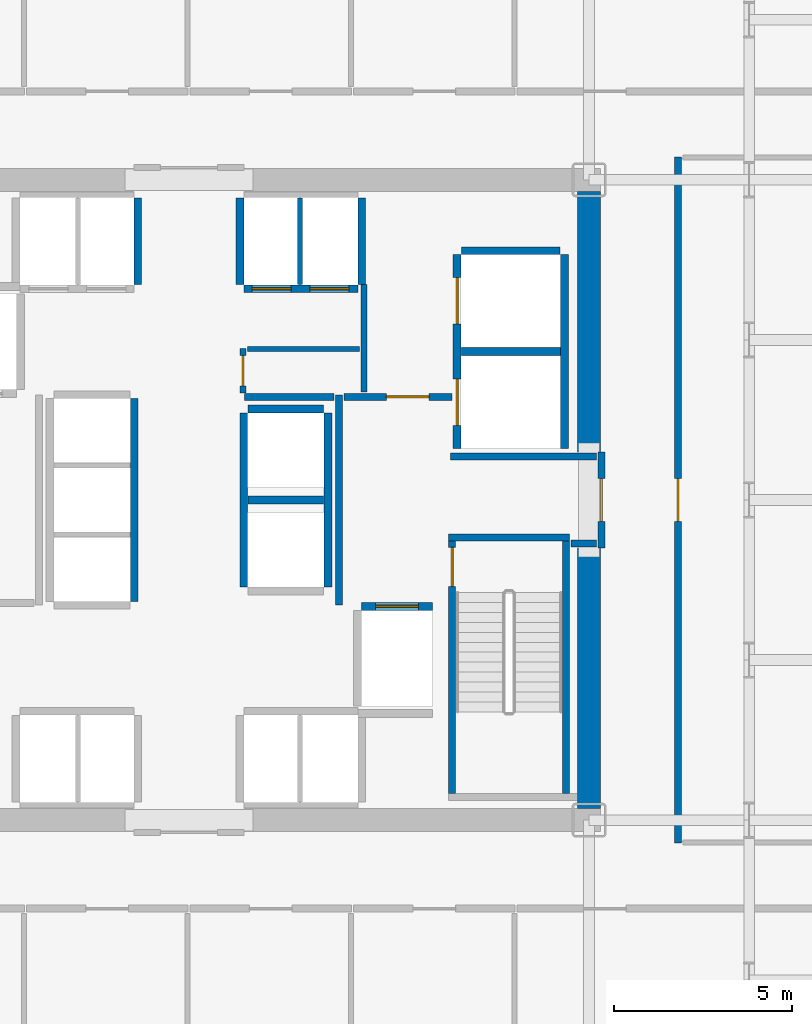
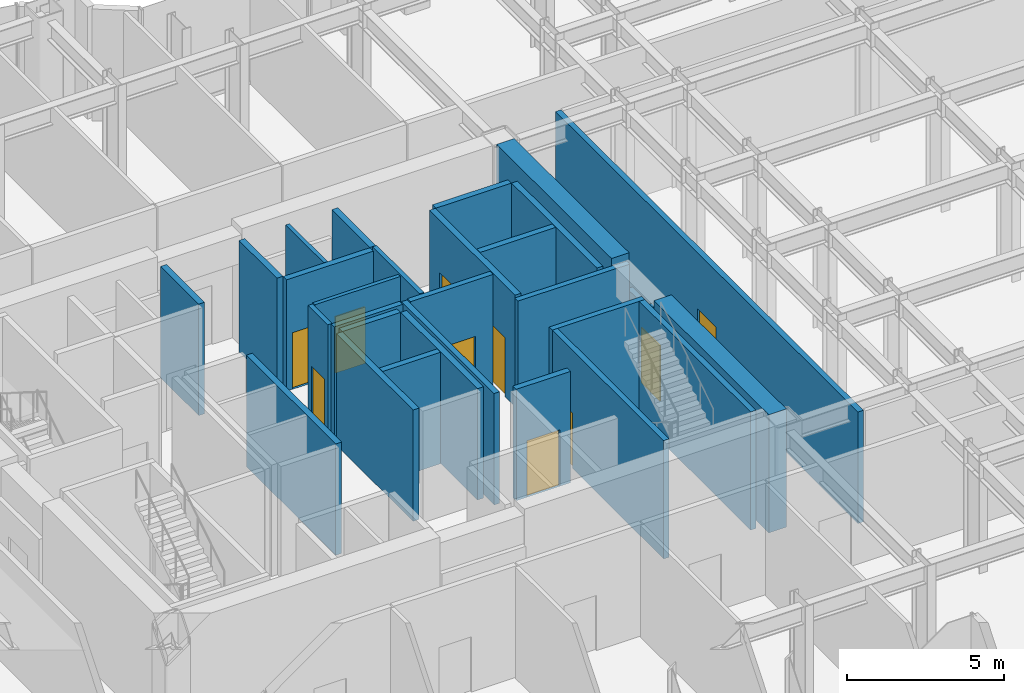
# One storey, part 24 of 30: 30 walls, 10 doors, 10 openings.
"""IFC4 building model written with IfcOpenShell, lengths in metres."""

from ifc_helpers import new_model, si_unit, direction, frame, frame_2d, origin, place, context, subcontext, project, spatial, rectangle, extrude, source, transform, mapped, material, layer, layer_set, type_object, element, fill, save


model = new_model("IFC4")

# Units and contexts
model_context = context("Model", 3, precision=1e-05, world=origin(), true_north=direction((0.0, 1.0)))
body_context = subcontext(model_context, "Body", "Model", "MODEL_VIEW")
ifc_project = project(units=[si_unit("LENGTHUNIT", "METRE"), si_unit("AREAUNIT", "SQUARE_METRE"), si_unit("VOLUMEUNIT", "CUBIC_METRE"), si_unit("PLANEANGLEUNIT", "RADIAN"), si_unit("MASSUNIT", "GRAM", prefix="KILO")], contexts=[model_context])

# Site, building, storey
site_placement = place(None, origin())
site = spatial("IfcSite", under=ifc_project, at=site_placement, CompositionType="ELEMENT")
building_placement = place(site_placement, origin())
building = spatial("IfcBuilding", under=site, at=building_placement, Name="Nefas-Gora Pilgrimage Tower", CompositionType="ELEMENT")
storey_placement = place(building_placement, frame((0.0, 0.0, 86.199951171875)))
storey = spatial("IfcBuildingStorey", under=building, at=storey_placement, Name="L20", CompositionType="ELEMENT", Elevation=86.199951171875)

# Walls
ifc_material_1 = material(Name="Concrete C60/75", Category="concrete")
ifc_layer_1 = layer(ifc_material_1, 0.64990234375)
ifc_layer_set_1 = layer_set([ifc_layer_1], Name="Concrete C60/75")
wall_type_1 = type_object("IfcWallType", Name="SW-CORE-650", PredefinedType="SHEAR", material=ifc_layer_set_1)
shared_shape_1 = source(origin(), body_context, "Body", "SweptSolid", [
    extrude(rectangle(XDim=7.324951171875, YDim=0.64990234375, at=frame_2d((3.66259765625, 0.0))), origin(), (0.0, 0.0, 1.0), 4.60009765625),
])
for number, where, z_axis, x_axis, name in (
    (1, (11.25, -8.675048828125, 0.0), (0.0, 0.0, 1.0), (0.0, 1.0, 0.0), "L20 Core Shear Wall E-South"),
    (2, (11.25, 1.35009765625, 0.0), (0.0, 0.0, 1.0), (0.0, 1.0, 0.0), "L20 Core Shear Wall E-North"),
):
    element("IfcWall", number, at=place(storey_placement, frame(where, z_axis=z_axis, x_axis=x_axis)), inside=storey, type_object=wall_type_1, Name=name, PredefinedType="SHEAR", context=body_context, shape_type="MappedRepresentation", body=[
        mapped(shared_shape_1, transform((0.0, 0.0, 0.0), x_axis=(1.0, 0.0, 0.0), y_axis=(0.0, 1.0, 0.0), z_axis=(0.0, 0.0, 1.0), scale=1.0)),
    ])
ifc_material_2 = material(Name="Concrete C45/55", Category="concrete")
ifc_layer_2 = layer(ifc_material_2, 0.199951171875)
ifc_layer_set_2 = layer_set([ifc_layer_2], Name="Concrete C45/55")
wall_type_2 = type_object("IfcWallType", Name="IW-STAIR-200", PredefinedType="SOLIDWALL", material=ifc_layer_set_2)
shared_shape_2 = source(origin(), body_context, "Body", "SweptSolid", [
    extrude(rectangle(XDim=3.39990234375, YDim=0.199951171875, at=frame_2d((1.699951171875, 0.0))), origin(), (0.0, 0.0, 1.0), 4.60009765625),
])
wall_1_placement = place(storey_placement, frame((7.300048828125, -1.050048828125, 0.0), z_axis=(0.0, 0.0, 1.0), x_axis=(1.0, 0.0, 0.0)))
element("IfcWall", 3, at=wall_1_placement, inside=storey, type_object=wall_type_2, Name="L20 Stairwell Shear Wall ST-02-near", PredefinedType="SOLIDWALL", context=body_context, shape_type="MappedRepresentation", body=[
    mapped(shared_shape_2, transform((0.0, 0.0, 0.0), x_axis=(1.0, 0.0, 0.0), y_axis=(0.0, 1.0, 0.0), z_axis=(0.0, 0.0, 1.0), scale=1.0)),
])

# Wall, opening, door
shared_shape_3 = source(origin(), body_context, "Body", "SweptSolid", [
    extrude(rectangle(XDim=7.10009765625, YDim=0.199951171875, at=frame_2d((3.550048828125, 0.0))), origin(), (0.0, 0.0, 1.0), 4.60009765625),
])
wall_2_placement = place(storey_placement, frame((7.39990234375, -1.14990234375, 0.0), z_axis=(0.0, 0.0, 1.0), x_axis=(0.0, -1.0, 0.0)))
wall_2 = element("IfcWall", 4, at=wall_2_placement, inside=storey, type_object=wall_type_2, Name="L20 Stairwell Shear Wall ST-02-left", PredefinedType="SOLIDWALL", context=body_context, shape_type="MappedRepresentation", body=[
    mapped(shared_shape_3, transform((0.0, 0.0, 0.0), x_axis=(1.0, 0.0, 0.0), y_axis=(0.0, 1.0, 0.0), z_axis=(0.0, 0.0, 1.0), scale=1.0)),
])
opening_1_placement = place(wall_2_placement, frame((0.179931640625, 0.0, 0.0)))
opening_1 = element("IfcOpeningElement", 5, at=opening_1_placement, cuts=wall_2, Name="Opening ID-ST1", PredefinedType="OPENING", context=body_context, shape_type="SweptSolid", body=[
    extrude(rectangle(XDim=1.10009765625, YDim=2.14990234375, at=frame_2d((0.550048828125, 1.074951171875))), frame((0.0, 0.10986328125, 0.0), z_axis=(0.0, -1.0, 0.0), x_axis=(1.0, 0.0, 0.0)), (0.0, 0.0, 1.0), 0.219970703125),
])
ifc_material_3 = material(Name="Painted galvanised steel fire stair door", Category="steel")
door_type_1 = type_object("IfcDoorType", Name="DR-INT-STAIR-1100", OperationType="NOTDEFINED", PredefinedType="DOOR", material=ifc_material_3)
shared_shape_4 = source(origin(), body_context, "Body", "SweptSolid", [
    extrude(rectangle(XDim=1.10009765625, YDim=2.14990234375, at=frame_2d((0.550048828125, 1.074951171875))), frame((0.0, 0.02490234375, 0.0), z_axis=(0.0, -1.0, 0.0), x_axis=(1.0, 0.0, 0.0)), (0.0, 0.0, 1.0), 0.050048828125),
])
door_1_placement = place(opening_1_placement, origin())
door_1 = element("IfcDoor", 6, at=door_1_placement, inside=storey, type_object=door_type_1, Name="L20 Protected Exit Stair Door ST-02", OperationType="SINGLE_SWING_LEFT", OverallHeight=2.14990234375, OverallWidth=1.10009765625, PredefinedType="DOOR", context=body_context, shape_type="MappedRepresentation", body=[
    mapped(shared_shape_4, transform((0.0, 0.0, 0.0), x_axis=(1.0, 0.0, 0.0), y_axis=(0.0, 1.0, 0.0), z_axis=(0.0, 0.0, 1.0), scale=1.0)),
])
fill(opening_1, door_1)

# Wall
wall_3_placement = place(storey_placement, frame((10.60009765625, -1.14990234375, 0.0), z_axis=(0.0, 0.0, 1.0), x_axis=(0.0, -1.0, 0.0)))
element("IfcWall", 7, at=wall_3_placement, inside=storey, type_object=wall_type_2, Name="L20 Stairwell Shear Wall ST-02-right", PredefinedType="SOLIDWALL", context=body_context, shape_type="MappedRepresentation", body=[
    mapped(shared_shape_3, transform((0.0, 0.0, 0.0), x_axis=(1.0, 0.0, 0.0), y_axis=(0.0, 1.0, 0.0), z_axis=(0.0, 0.0, 1.0), scale=1.0)),
])

# Wall, opening, door
ifc_material_4 = material(Name="Concrete C40/50", Category="concrete")
ifc_layer_3 = layer(ifc_material_4, 0.219970703125)
ifc_layer_set_3 = layer_set([ifc_layer_3], Name="Concrete C40/50")
wall_type_3 = type_object("IfcWallType", Name="IW-SHAFT-220", PredefinedType="SOLIDWALL", material=ifc_layer_set_3)
shared_shape_5 = source(origin(), body_context, "Body", "SweptSolid", [
    extrude(rectangle(XDim=2.0, YDim=0.219970703125, at=frame_2d((1.0, 0.0))), origin(), (0.0, 0.0, 1.0), 4.3349609375),
])
wall_4_placement = place(storey_placement, frame((6.85009765625, -2.989990234375, 0.0), z_axis=(0.0, 0.0, 1.0), x_axis=(-1.0, 0.0, 0.0)))
wall_4 = element("IfcWall", 8, at=wall_4_placement, inside=storey, type_object=wall_type_3, Name="L20 Hoistway Wall FFL-02-N", PredefinedType="SOLIDWALL", context=body_context, shape_type="MappedRepresentation", body=[
    mapped(shared_shape_5, transform((0.0, 0.0, 0.0), x_axis=(1.0, 0.0, 0.0), y_axis=(0.0, 1.0, 0.0), z_axis=(0.0, 0.0, 1.0), scale=1.0)),
])
opening_2_placement = place(wall_4_placement, frame((0.39990234375, 0.0, 0.0)))
opening_2 = element("IfcOpeningElement", 9, at=opening_2_placement, cuts=wall_4, Name="Opening LD-FF", PredefinedType="OPENING", context=body_context, shape_type="SweptSolid", body=[
    extrude(rectangle(XDim=1.199951171875, YDim=2.199951171875, at=frame_2d((0.60009765625, 1.10009765625))), frame((0.0, 0.119873046875, 0.0), z_axis=(0.0, -1.0, 0.0), x_axis=(1.0, 0.0, 0.0)), (0.0, 0.0, 1.0), 0.239990234375),
])
ifc_material_5 = material(Name="Fire-service sliding lift landing door")
door_type_2 = type_object("IfcDoorType", Name="DR-LIFT-FSAE-1200", OperationType="SLIDING_TO_LEFT", PredefinedType="DOOR", material=ifc_material_5)
shared_shape_6 = source(origin(), body_context, "Body", "SweptSolid", [
    extrude(rectangle(XDim=1.199951171875, YDim=2.199951171875, at=frame_2d((0.60009765625, 1.10009765625))), frame((0.0, 0.02490234375, 0.0), z_axis=(0.0, -1.0, 0.0), x_axis=(1.0, 0.0, 0.0)), (0.0, 0.0, 1.0), 0.050048828125),
])
door_2_placement = place(opening_2_placement, origin())
door_2 = element("IfcDoor", 10, at=door_2_placement, inside=storey, type_object=door_type_2, Name="L20 Sliding Lift Landing Door FFL-02", OperationType="SLIDING_TO_LEFT", OverallHeight=2.199951171875, OverallWidth=1.199951171875, PredefinedType="DOOR", context=body_context, shape_type="MappedRepresentation", body=[
    mapped(shared_shape_6, transform((0.0, 0.0, 0.0), x_axis=(1.0, 0.0, 0.0), y_axis=(0.0, 1.0, 0.0), z_axis=(0.0, 0.0, 1.0), scale=1.0)),
])
fill(opening_2, door_2)

# Wall, openings, doors
shared_shape_7 = source(origin(), body_context, "Body", "SweptSolid", [
    extrude(rectangle(XDim=5.449951171875, YDim=0.219970703125, at=frame_2d((2.72509765625, 0.0))), origin(), (0.0, 0.0, 1.0), 4.3349609375),
])
wall_5_placement = place(storey_placement, frame((7.5400390625, 6.89990234375, 0.0), z_axis=(0.0, 0.0, 1.0), x_axis=(0.0, -1.0, 0.0)))
wall_5 = element("IfcWall", 11, at=wall_5_placement, inside=storey, type_object=wall_type_3, Name="L20 Hoistway Wall SL-01-02-W", PredefinedType="SOLIDWALL", context=body_context, shape_type="MappedRepresentation", body=[
    mapped(shared_shape_7, transform((0.0, 0.0, 0.0), x_axis=(1.0, 0.0, 0.0), y_axis=(0.0, 1.0, 0.0), z_axis=(0.0, 0.0, 1.0), scale=1.0)),
])
opening_3_placement = place(wall_5_placement, frame((3.5, 0.0, 0.0)))
opening_3 = element("IfcOpeningElement", 12, at=opening_3_placement, cuts=wall_5, Name="Opening LD-SV", PredefinedType="OPENING", context=body_context, shape_type="SweptSolid", body=[
    extrude(rectangle(XDim=1.300048828125, YDim=2.300048828125, at=frame_2d((0.64990234375, 1.14990234375))), frame((0.0, 0.119873046875, 0.0), z_axis=(0.0, -1.0, 0.0), x_axis=(1.0, 0.0, 0.0)), (0.0, 0.0, 1.0), 0.239990234375),
])
opening_4_placement = place(wall_5_placement, frame((0.64990234375, 0.0, 0.0)))
opening_4 = element("IfcOpeningElement", 13, at=opening_4_placement, cuts=wall_5, Name="Opening LD-SV", PredefinedType="OPENING", context=body_context, shape_type="SweptSolid", body=[
    extrude(rectangle(XDim=1.300048828125, YDim=2.300048828125, at=frame_2d((0.64990234375, 1.14990234375))), frame((0.0, 0.119873046875, 0.0), z_axis=(0.0, -1.0, 0.0), x_axis=(1.0, 0.0, 0.0)), (0.0, 0.0, 1.0), 0.239990234375),
])
ifc_material_6 = material(Name="Heavy goods sliding lift landing door")
door_type_3 = type_object("IfcDoorType", Name="DR-LIFT-SERV-1300", OperationType="SLIDING_TO_RIGHT", PredefinedType="DOOR", material=ifc_material_6)
shared_shape_8 = source(origin(), body_context, "Body", "SweptSolid", [
    extrude(rectangle(XDim=1.300048828125, YDim=2.300048828125, at=frame_2d((0.64990234375, 1.14990234375))), frame((0.0, 0.02490234375, 0.0), z_axis=(0.0, -1.0, 0.0), x_axis=(1.0, 0.0, 0.0)), (0.0, 0.0, 1.0), 0.050048828125),
])
door_3_placement = place(opening_3_placement, origin())
door_3 = element("IfcDoor", 14, at=door_3_placement, inside=storey, type_object=door_type_3, Name="L20 Sliding Lift Landing Door SL-01", OperationType="SLIDING_TO_RIGHT", OverallHeight=2.300048828125, OverallWidth=1.300048828125, PredefinedType="DOOR", context=body_context, shape_type="MappedRepresentation", body=[
    mapped(shared_shape_8, transform((0.0, 0.0, 0.0), x_axis=(1.0, 0.0, 0.0), y_axis=(0.0, 1.0, 0.0), z_axis=(0.0, 0.0, 1.0), scale=1.0)),
])
fill(opening_3, door_3)
door_4_placement = place(opening_4_placement, origin())
door_4 = element("IfcDoor", 15, at=door_4_placement, inside=storey, type_object=door_type_3, Name="L20 Sliding Lift Landing Door SL-02", OperationType="SLIDING_TO_RIGHT", OverallHeight=2.300048828125, OverallWidth=1.300048828125, PredefinedType="DOOR", context=body_context, shape_type="MappedRepresentation", body=[
    mapped(shared_shape_8, transform((0.0, 0.0, 0.0), x_axis=(1.0, 0.0, 0.0), y_axis=(0.0, 1.0, 0.0), z_axis=(0.0, 0.0, 1.0), scale=1.0)),
])
fill(opening_4, door_4)

# Walls
wall_6_placement = place(storey_placement, frame((10.56005859375, 1.449951171875, 0.0), z_axis=(0.0, 0.0, 1.0), x_axis=(0.0, 1.0, 0.0)))
element("IfcWall", 16, at=wall_6_placement, inside=storey, type_object=wall_type_3, Name="L20 Hoistway Wall SL-01-02-E", PredefinedType="SOLIDWALL", context=body_context, shape_type="MappedRepresentation", body=[
    mapped(shared_shape_7, transform((0.0, 0.0, 0.0), x_axis=(1.0, 0.0, 0.0), y_axis=(0.0, 1.0, 0.0), z_axis=(0.0, 0.0, 1.0), scale=1.0)),
])
shared_shape_9 = source(origin(), body_context, "Body", "SweptSolid", [
    extrude(rectangle(XDim=2.780029296875, YDim=0.219970703125, at=frame_2d((1.39013671875, 0.0))), origin(), (0.0, 0.0, 1.0), 4.3349609375),
])
for number, where, z_axis, x_axis, name in (
    (17, (7.659912109375, 4.175048828125, 0.0), (0.0, 0.0, 1.0), (1.0, 0.0, 0.0), "L20 Hoistway Wall SL-01-02-DIV"),
    (18, (10.43994140625, 7.010009765625, 0.0), (0.0, 0.0, 1.0), (-1.0, 0.0, 0.0), "L20 Hoistway Wall SL-02-N"),
):
    element("IfcWall", number, at=place(storey_placement, frame(where, z_axis=z_axis, x_axis=x_axis)), inside=storey, type_object=wall_type_3, Name=name, PredefinedType="SOLIDWALL", context=body_context, shape_type="MappedRepresentation", body=[
        mapped(shared_shape_9, transform((0.0, 0.0, 0.0), x_axis=(1.0, 0.0, 0.0), y_axis=(0.0, 1.0, 0.0), z_axis=(0.0, 0.0, 1.0), scale=1.0)),
    ])

# Wall, openings, doors
shared_shape_10 = source(origin(), body_context, "Body", "SweptSolid", [
    extrude(rectangle(XDim=3.199951171875, YDim=0.219970703125, at=frame_2d((1.60009765625, 0.0))), origin(), (0.0, 0.0, 1.0), 4.3349609375),
])
wall_7_placement = place(storey_placement, frame((1.550048828125, 5.93994140625, 0.0), z_axis=(0.0, 0.0, 1.0), x_axis=(1.0, 0.0, 0.0)))
wall_7 = element("IfcWall", 19, at=wall_7_placement, inside=storey, type_object=wall_type_3, Name="L20 Hoistway Wall PL1-E-S", PredefinedType="SOLIDWALL", context=body_context, shape_type="MappedRepresentation", body=[
    mapped(shared_shape_10, transform((0.0, 0.0, 0.0), x_axis=(1.0, 0.0, 0.0), y_axis=(0.0, 1.0, 0.0), z_axis=(0.0, 0.0, 1.0), scale=1.0)),
])
opening_5_placement = place(wall_7_placement, frame((0.22509765625, 0.0, 0.0)))
opening_5 = element("IfcOpeningElement", 20, at=opening_5_placement, cuts=wall_7, Name="Opening LD-01", PredefinedType="OPENING", context=body_context, shape_type="SweptSolid", body=[
    extrude(rectangle(XDim=1.10009765625, YDim=2.199951171875, at=frame_2d((0.550048828125, 1.10009765625))), frame((0.0, 0.119873046875, 0.0), z_axis=(0.0, -1.0, 0.0), x_axis=(1.0, 0.0, 0.0)), (0.0, 0.0, 1.0), 0.239990234375),
])
opening_6_placement = place(wall_7_placement, frame((1.85009765625, 0.0, 0.0)))
opening_6 = element("IfcOpeningElement", 21, at=opening_6_placement, cuts=wall_7, Name="Opening LD-01", PredefinedType="OPENING", context=body_context, shape_type="SweptSolid", body=[
    extrude(rectangle(XDim=1.10009765625, YDim=2.199951171875, at=frame_2d((0.550048828125, 1.10009765625))), frame((0.0, 0.119873046875, 0.0), z_axis=(0.0, -1.0, 0.0), x_axis=(1.0, 0.0, 0.0)), (0.0, 0.0, 1.0), 0.239990234375),
])
ifc_material_7 = material(Name="Brushed stainless sliding lift landing door")
door_type_4 = type_object("IfcDoorType", Name="DR-LIFT-PASS-1100", OperationType="DOUBLE_DOOR_SLIDING", PredefinedType="DOOR", material=ifc_material_7)
shared_shape_11 = source(origin(), body_context, "Body", "SweptSolid", [
    extrude(rectangle(XDim=1.10009765625, YDim=2.199951171875, at=frame_2d((0.550048828125, 1.10009765625))), frame((0.0, 0.02490234375, 0.0), z_axis=(0.0, -1.0, 0.0), x_axis=(1.0, 0.0, 0.0)), (0.0, 0.0, 1.0), 0.050048828125),
])
door_5_placement = place(opening_5_placement, origin())
door_5 = element("IfcDoor", 22, at=door_5_placement, inside=storey, type_object=door_type_4, Name="L20 Sliding Lift Landing Door PL1-03", OperationType="DOUBLE_DOOR_SLIDING", OverallHeight=2.199951171875, OverallWidth=1.10009765625, PredefinedType="DOOR", context=body_context, shape_type="MappedRepresentation", body=[
    mapped(shared_shape_11, transform((0.0, 0.0, 0.0), x_axis=(1.0, 0.0, 0.0), y_axis=(0.0, 1.0, 0.0), z_axis=(0.0, 0.0, 1.0), scale=1.0)),
])
fill(opening_5, door_5)
door_6_placement = place(opening_6_placement, origin())
door_6 = element("IfcDoor", 23, at=door_6_placement, inside=storey, type_object=door_type_4, Name="L20 Sliding Lift Landing Door PL1-04", OperationType="DOUBLE_DOOR_SLIDING", OverallHeight=2.199951171875, OverallWidth=1.10009765625, PredefinedType="DOOR", context=body_context, shape_type="MappedRepresentation", body=[
    mapped(shared_shape_11, transform((0.0, 0.0, 0.0), x_axis=(1.0, 0.0, 0.0), y_axis=(0.0, 1.0, 0.0), z_axis=(0.0, 0.0, 1.0), scale=1.0)),
])
fill(opening_6, door_6)

# Walls
shared_shape_12 = source(origin(), body_context, "Body", "SweptSolid", [
    extrude(rectangle(XDim=2.429931640625, YDim=0.219970703125, at=frame_2d((1.21484375, 0.0))), origin(), (0.0, 0.0, 1.0), 4.3349609375),
])
for number, where, z_axis, x_axis, name in (
    (24, (-1.43994140625, 6.06005859375, 0.0), (0.0, 0.0, 1.0), (0.0, 1.0, 0.0), "L20 Hoistway Wall PL1-W-E"),
    (25, (1.43994140625, 8.489990234375, 0.0), (0.0, 0.0, 1.0), (0.0, -1.0, 0.0), "L20 Hoistway Wall PL1-E-W"),
    (26, (4.860107421875, 6.06005859375, 0.0), (0.0, 0.0, 1.0), (0.0, 1.0, 0.0), "L20 Hoistway Wall PL1-E-E"),
):
    element("IfcWall", number, at=place(storey_placement, frame(where, z_axis=z_axis, x_axis=x_axis)), inside=storey, type_object=wall_type_3, Name=name, PredefinedType="SOLIDWALL", context=body_context, shape_type="MappedRepresentation", body=[
        mapped(shared_shape_12, transform((0.0, 0.0, 0.0), x_axis=(1.0, 0.0, 0.0), y_axis=(0.0, 1.0, 0.0), z_axis=(0.0, 0.0, 1.0), scale=1.0)),
    ])
ifc_material_8 = material(Name="Gypsum twin-stud partition")
ifc_layer_4 = layer(ifc_material_8, 0.139892578125)
ifc_layer_set_4 = layer_set([ifc_layer_4], Name="Gypsum twin-stud partition")
wall_type_4 = type_object("IfcWallType", Name="IW-UNIT-140", PredefinedType="PARTITIONING", material=ifc_layer_set_4)
shared_shape_13 = source(origin(), body_context, "Body", "SweptSolid", [
    extrude(rectangle(XDim=2.429931640625, YDim=0.139892578125, at=frame_2d((1.21484375, 0.0))), origin(), (0.0, 0.0, 1.0), 4.3349609375),
])
wall_8_placement = place(storey_placement, frame((3.125, 6.06005859375, 0.0), z_axis=(0.0, 0.0, 1.0), x_axis=(0.0, 1.0, 0.0)))
element("IfcWall", 27, at=wall_8_placement, inside=storey, type_object=wall_type_4, Name="L20 Hoistway Wall PL1-E-DIV", PredefinedType="PARTITIONING", context=body_context, shape_type="MappedRepresentation", body=[
    mapped(shared_shape_13, transform((0.0, 0.0, 0.0), x_axis=(1.0, 0.0, 0.0), y_axis=(0.0, 1.0, 0.0), z_axis=(0.0, 0.0, 1.0), scale=1.0)),
])
shared_shape_14 = source(origin(), body_context, "Body", "SweptSolid", [
    extrude(rectangle(XDim=5.7001953125, YDim=0.219970703125, at=frame_2d((2.85009765625, 0.0))), origin(), (0.0, 0.0, 1.0), 4.3349609375),
])
wall_9_placement = place(storey_placement, frame((-1.5400390625, -2.85009765625, 0.0), z_axis=(0.0, 0.0, 1.0), x_axis=(0.0, 1.0, 0.0)))
element("IfcWall", 28, at=wall_9_placement, inside=storey, type_object=wall_type_3, Name="L20 Hoistway Wall PL3-01-03-E", PredefinedType="SOLIDWALL", context=body_context, shape_type="MappedRepresentation", body=[
    mapped(shared_shape_14, transform((0.0, 0.0, 0.0), x_axis=(1.0, 0.0, 0.0), y_axis=(0.0, 1.0, 0.0), z_axis=(0.0, 0.0, 1.0), scale=1.0)),
])
shared_shape_15 = source(origin(), body_context, "Body", "SweptSolid", [
    extrude(rectangle(XDim=2.130126953125, YDim=0.219970703125, at=frame_2d((1.06494140625, 0.0))), origin(), (0.0, 0.0, 1.0), 4.3349609375),
])
for number, where, z_axis, x_axis, name in (
    (29, (1.659912109375, 0.0, 0.0), (0.0, 0.0, 1.0), (1.0, 0.0, 0.0), "L20 Hoistway Wall OBS-01-02-DIV"),
    (30, (3.7900390625, 2.56005859375, 0.0), (0.0, 0.0, 1.0), (-1.0, 0.0, 0.0), "L20 Hoistway Wall OBS-02-N"),
):
    element("IfcWall", number, at=place(storey_placement, frame(where, z_axis=z_axis, x_axis=x_axis)), inside=storey, type_object=wall_type_3, Name=name, PredefinedType="SOLIDWALL", context=body_context, shape_type="MappedRepresentation", body=[
        mapped(shared_shape_15, transform((0.0, 0.0, 0.0), x_axis=(1.0, 0.0, 0.0), y_axis=(0.0, 1.0, 0.0), z_axis=(0.0, 0.0, 1.0), scale=1.0)),
    ])
shared_shape_16 = source(origin(), body_context, "Body", "SweptSolid", [
    extrude(rectangle(XDim=4.89990234375, YDim=0.219970703125, at=frame_2d((2.449951171875, 0.0))), origin(), (0.0, 0.0, 1.0), 4.3349609375),
])
for number, where, z_axis, x_axis, name in (
    (31, (1.5400390625, 2.449951171875, 0.0), (0.0, 0.0, 1.0), (0.0, -1.0, 0.0), "L20 Hoistway Wall OBS-01-02-W"),
    (32, (3.909912109375, -2.449951171875, 0.0), (0.0, 0.0, 1.0), (0.0, 1.0, 0.0), "L20 Hoistway Wall OBS-01-02-E"),
):
    element("IfcWall", number, at=place(storey_placement, frame(where, z_axis=z_axis, x_axis=x_axis)), inside=storey, type_object=wall_type_3, Name=name, PredefinedType="SOLIDWALL", context=body_context, shape_type="MappedRepresentation", body=[
        mapped(shared_shape_16, transform((0.0, 0.0, 0.0), x_axis=(1.0, 0.0, 0.0), y_axis=(0.0, 1.0, 0.0), z_axis=(0.0, 0.0, 1.0), scale=1.0)),
    ])

# Wall, opening, door
ifc_material_9 = material(Name="Gypsum fire-rated shaftwall")
ifc_layer_5 = layer(ifc_material_9, 0.199951171875)
ifc_layer_set_5 = layer_set([ifc_layer_5], Name="Gypsum fire-rated shaftwall")
wall_type_5 = type_object("IfcWallType", Name="IW-FFLOB-200", PredefinedType="PARTITIONING", material=ifc_layer_set_5)
shared_shape_17 = source(origin(), body_context, "Body", "SweptSolid", [
    extrude(rectangle(XDim=2.7001953125, YDim=0.199951171875, at=frame_2d((1.35009765625, 0.0))), origin(), (0.0, 0.0, 1.0), 3.22509765625),
])
wall_10_placement = place(storey_placement, frame((11.60009765625, -1.35009765625, 0.0), z_axis=(0.0, 0.0, 1.0), x_axis=(0.0, 1.0, 0.0)))
wall_10 = element("IfcWall", 33, at=wall_10_placement, inside=storey, type_object=wall_type_5, Name="L20 FF Lobby East Portal Wall 8", PredefinedType="PARTITIONING", context=body_context, shape_type="MappedRepresentation", body=[
    mapped(shared_shape_17, transform((0.0, 0.0, 0.0), x_axis=(1.0, 0.0, 0.0), y_axis=(0.0, 1.0, 0.0), z_axis=(0.0, 0.0, 1.0), scale=1.0)),
])
opening_7_placement = place(wall_10_placement, frame((0.75, 0.0, 0.0)))
opening_7 = element("IfcOpeningElement", 34, at=opening_7_placement, cuts=wall_10, Name="Opening ID-FF1", PredefinedType="OPENING", context=body_context, shape_type="SweptSolid", body=[
    extrude(rectangle(XDim=1.199951171875, YDim=2.14990234375, at=frame_2d((0.60009765625, 1.074951171875))), frame((0.0, 0.10986328125, 0.0), z_axis=(0.0, -1.0, 0.0), x_axis=(1.0, 0.0, 0.0)), (0.0, 0.0, 1.0), 0.219970703125),
])
ifc_material_10 = material(Name="Smoke-sealed steel firefighting lobby door", Category="steel")
door_type_5 = type_object("IfcDoorType", Name="DR-INT-FFLOB-1200", OperationType="NOTDEFINED", PredefinedType="DOOR", material=ifc_material_10)
shared_shape_18 = source(origin(), body_context, "Body", "SweptSolid", [
    extrude(rectangle(XDim=1.199951171875, YDim=2.14990234375, at=frame_2d((0.60009765625, 1.074951171875))), frame((0.0, 0.02490234375, 0.0), z_axis=(0.0, -1.0, 0.0), x_axis=(1.0, 0.0, 0.0)), (0.0, 0.0, 1.0), 0.050048828125),
])
door_7_placement = place(opening_7_placement, origin())
door_7 = element("IfcDoor", 35, at=door_7_placement, inside=storey, type_object=door_type_5, Name="L20 FF Lobby East Portal Door 2", OperationType="SINGLE_SWING_LEFT", OverallHeight=2.14990234375, OverallWidth=1.199951171875, PredefinedType="DOOR", context=body_context, shape_type="MappedRepresentation", body=[
    mapped(shared_shape_18, transform((0.0, 0.0, 0.0), x_axis=(1.0, 0.0, 0.0), y_axis=(0.0, 1.0, 0.0), z_axis=(0.0, 0.0, 1.0), scale=1.0)),
])
fill(opening_7, door_7)

# Walls
shared_shape_19 = source(origin(), body_context, "Body", "SweptSolid", [
    extrude(rectangle(XDim=5.89990234375, YDim=0.199951171875, at=frame_2d((2.949951171875, 0.0))), origin(), (0.0, 0.0, 1.0), 4.3349609375),
])
wall_11_placement = place(storey_placement, frame((4.219970703125, -2.949951171875, 0.0), z_axis=(0.0, 0.0, 1.0), x_axis=(0.0, 1.0, 0.0)))
element("IfcWall", 36, at=wall_11_placement, inside=storey, type_object=wall_type_5, Name="L20 FF Lobby East Inner Wall Wall 9", PredefinedType="PARTITIONING", context=body_context, shape_type="MappedRepresentation", body=[
    mapped(shared_shape_19, transform((0.0, 0.0, 0.0), x_axis=(1.0, 0.0, 0.0), y_axis=(0.0, 1.0, 0.0), z_axis=(0.0, 0.0, 1.0), scale=1.0)),
])
shared_shape_20 = source(origin(), body_context, "Body", "SweptSolid", [
    extrude(rectangle(XDim=0.719970703125, YDim=0.199951171875, at=frame_2d((0.35986328125, 0.0))), origin(), (0.0, 0.0, 1.0), 4.3349609375),
])
wall_12_placement = place(storey_placement, frame((10.739990234375, -1.219970703125, 0.0), z_axis=(0.0, 0.0, 1.0), x_axis=(1.0, 0.0, 0.0)))
element("IfcWall", 37, at=wall_12_placement, inside=storey, type_object=wall_type_5, Name="L20 FF Lobby East Throat S Wall 13", PredefinedType="PARTITIONING", context=body_context, shape_type="MappedRepresentation", body=[
    mapped(shared_shape_20, transform((0.0, 0.0, 0.0), x_axis=(1.0, 0.0, 0.0), y_axis=(0.0, 1.0, 0.0), z_axis=(0.0, 0.0, 1.0), scale=1.0)),
])
shared_shape_21 = source(origin(), body_context, "Body", "SweptSolid", [
    extrude(rectangle(XDim=2.52001953125, YDim=0.199951171875, at=frame_2d((1.260009765625, 0.0))), origin(), (0.0, 0.0, 1.0), 4.3349609375),
])
wall_13_placement = place(storey_placement, frame((1.56005859375, 2.89990234375, 0.0), z_axis=(0.0, 0.0, 1.0), x_axis=(1.0, 0.0, 0.0)))
element("IfcWall", 38, at=wall_13_placement, inside=storey, type_object=wall_type_5, Name="L20 FF Lobby East North Wall Wall 10", PredefinedType="PARTITIONING", context=body_context, shape_type="MappedRepresentation", body=[
    mapped(shared_shape_21, transform((0.0, 0.0, 0.0), x_axis=(1.0, 0.0, 0.0), y_axis=(0.0, 1.0, 0.0), z_axis=(0.0, 0.0, 1.0), scale=1.0)),
])

# Wall, opening, door
shared_shape_22 = source(origin(), body_context, "Body", "SweptSolid", [
    extrude(rectangle(XDim=3.039794921875, YDim=0.199951171875, at=frame_2d((1.52001953125, 0.0))), origin(), (0.0, 0.0, 1.0), 4.3349609375),
])
wall_14_placement = place(storey_placement, frame((4.360107421875, 2.89990234375, 0.0), z_axis=(0.0, 0.0, 1.0), x_axis=(1.0, 0.0, 0.0)))
wall_14 = element("IfcWall", 39, at=wall_14_placement, inside=storey, type_object=wall_type_5, Name="L20 FF Lobby East North Wall Wall 11", PredefinedType="PARTITIONING", context=body_context, shape_type="MappedRepresentation", body=[
    mapped(shared_shape_22, transform((0.0, 0.0, 0.0), x_axis=(1.0, 0.0, 0.0), y_axis=(0.0, 1.0, 0.0), z_axis=(0.0, 0.0, 1.0), scale=1.0)),
])
opening_8_placement = place(wall_14_placement, frame((1.18994140625, 0.0, 0.0)))
opening_8 = element("IfcOpeningElement", 40, at=opening_8_placement, cuts=wall_14, Name="Opening ID-PL1", PredefinedType="OPENING", context=body_context, shape_type="SweptSolid", body=[
    extrude(rectangle(XDim=1.199951171875, YDim=2.14990234375, at=frame_2d((0.60009765625, 1.074951171875))), frame((0.0, 0.10986328125, 0.0), z_axis=(0.0, -1.0, 0.0), x_axis=(1.0, 0.0, 0.0)), (0.0, 0.0, 1.0), 0.219970703125),
])
ifc_material_11 = material(Name="Heavy-duty steel plant room fire door", Category="steel")
door_type_6 = type_object("IfcDoorType", Name="DR-INT-PLANT-1200", OperationType="NOTDEFINED", PredefinedType="DOOR", material=ifc_material_11)
door_8_placement = place(opening_8_placement, origin())
door_8 = element("IfcDoor", 41, at=door_8_placement, inside=storey, type_object=door_type_6, Name="L20 Service Lift Lobby Door Door 3", OperationType="SINGLE_SWING_RIGHT", OverallHeight=2.14990234375, OverallWidth=1.199951171875, PredefinedType="DOOR", context=body_context, shape_type="MappedRepresentation", body=[
    mapped(shared_shape_18, transform((0.0, 0.0, 0.0), x_axis=(1.0, 0.0, 0.0), y_axis=(0.0, 1.0, 0.0), z_axis=(0.0, 0.0, 1.0), scale=1.0)),
])
fill(opening_8, door_8)

# Walls
shared_shape_23 = source(origin(), body_context, "Body", "SweptSolid", [
    extrude(rectangle(XDim=4.10986328125, YDim=0.199951171875, at=frame_2d((2.054931640625, 0.0))), origin(), (0.0, 0.0, 1.0), 4.3349609375),
])
wall_15_placement = place(storey_placement, frame((7.35009765625, 1.219970703125, 0.0), z_axis=(0.0, 0.0, 1.0), x_axis=(1.0, 0.0, 0.0)))
element("IfcWall", 42, at=wall_15_placement, inside=storey, type_object=wall_type_5, Name="L20 FF Lobby East Throat N Wall 12", PredefinedType="PARTITIONING", context=body_context, shape_type="MappedRepresentation", body=[
    mapped(shared_shape_23, transform((0.0, 0.0, 0.0), x_axis=(1.0, 0.0, 0.0), y_axis=(0.0, 1.0, 0.0), z_axis=(0.0, 0.0, 1.0), scale=1.0)),
])
ifc_material_12 = material(Name="Gypsum acoustic stud partition")
ifc_layer_6 = layer(ifc_material_12, 0.159912109375)
ifc_layer_set_6 = layer_set([ifc_layer_6], Name="Gypsum acoustic stud partition")
wall_type_6 = type_object("IfcWallType", Name="IW-CORR-160", PredefinedType="PARTITIONING", material=ifc_layer_set_6)
shared_shape_24 = source(origin(), body_context, "Body", "SweptSolid", [
    extrude(rectangle(XDim=3.014892578125, YDim=0.159912109375, at=frame_2d((1.50732421875, 0.0))), origin(), (0.0, 0.0, 1.0), 4.3349609375),
])
wall_16_placement = place(storey_placement, frame((4.919921875, 3.0400390625, 0.0), z_axis=(0.0, 0.0, 1.0), x_axis=(0.0, 1.0, 0.0)))
element("IfcWall", 43, at=wall_16_placement, inside=storey, type_object=wall_type_6, Name="L20 Service Lift Lobby West Wall Wall 16", PredefinedType="PARTITIONING", context=body_context, shape_type="MappedRepresentation", body=[
    mapped(shared_shape_24, transform((0.0, 0.0, 0.0), x_axis=(1.0, 0.0, 0.0), y_axis=(0.0, 1.0, 0.0), z_axis=(0.0, 0.0, 1.0), scale=1.0)),
])

# Wall, opening, door
shared_shape_25 = source(origin(), body_context, "Body", "SweptSolid", [
    extrude(rectangle(XDim=1.25, YDim=0.159912109375, at=frame_2d((0.625, 0.0))), origin(), (0.0, 0.0, 1.0), 4.3349609375),
])
wall_17_placement = place(storey_placement, frame((1.52001953125, 3.010009765625, 0.0), z_axis=(0.0, 0.0, 1.0), x_axis=(0.0, 1.0, 0.0)))
wall_17 = element("IfcWall", 44, at=wall_17_placement, inside=storey, type_object=wall_type_6, Name="L20 Core Communications Room Wall 17", PredefinedType="PARTITIONING", context=body_context, shape_type="MappedRepresentation", body=[
    mapped(shared_shape_25, transform((0.0, 0.0, 0.0), x_axis=(1.0, 0.0, 0.0), y_axis=(0.0, 1.0, 0.0), z_axis=(0.0, 0.0, 1.0), scale=1.0)),
])
opening_9_placement = place(wall_17_placement, frame((0.199951171875, 0.0, 0.0)))
opening_9 = element("IfcOpeningElement", 45, at=opening_9_placement, cuts=wall_17, Name="Opening ID-BT1", PredefinedType="OPENING", context=body_context, shape_type="SweptSolid", body=[
    extrude(rectangle(XDim=0.85009765625, YDim=2.10009765625, at=frame_2d((0.425048828125, 1.050048828125))), frame((0.0, 0.08984375, 0.0), z_axis=(0.0, -1.0, 0.0), x_axis=(1.0, 0.0, 0.0)), (0.0, 0.0, 1.0), 0.179931640625),
])
ifc_material_13 = material(Name="Moisture-resistant fire-rated timber door", Category="wood")
door_type_7 = type_object("IfcDoorType", Name="DR-INT-BATH-850", OperationType="NOTDEFINED", PredefinedType="DOOR", material=ifc_material_13)
shared_shape_26 = source(origin(), body_context, "Body", "SweptSolid", [
    extrude(rectangle(XDim=0.85009765625, YDim=2.10009765625, at=frame_2d((0.425048828125, 1.050048828125))), frame((0.0, 0.02490234375, 0.0), z_axis=(0.0, -1.0, 0.0), x_axis=(1.0, 0.0, 0.0)), (0.0, 0.0, 1.0), 0.050048828125),
])
door_9_placement = place(opening_9_placement, origin())
door_9 = element("IfcDoor", 46, at=door_9_placement, inside=storey, type_object=door_type_7, Name="L20 Core Communications Room Door 6", OperationType="SINGLE_SWING_LEFT", OverallHeight=2.10009765625, OverallWidth=0.85009765625, PredefinedType="DOOR", context=body_context, shape_type="MappedRepresentation", body=[
    mapped(shared_shape_26, transform((0.0, 0.0, 0.0), x_axis=(1.0, 0.0, 0.0), y_axis=(0.0, 1.0, 0.0), z_axis=(0.0, 0.0, 1.0), scale=1.0)),
])
fill(opening_9, door_9)

# Wall
shared_shape_27 = source(origin(), body_context, "Body", "SweptSolid", [
    extrude(rectangle(XDim=3.150146484375, YDim=0.139892578125, at=frame_2d((1.5751953125, 0.0))), origin(), (0.0, 0.0, 1.0), 4.3349609375),
])
wall_18_placement = place(storey_placement, frame((1.639892578125, 4.25, 0.0), z_axis=(0.0, 0.0, 1.0), x_axis=(1.0, 0.0, 0.0)))
element("IfcWall", 47, at=wall_18_placement, inside=storey, type_object=wall_type_4, Name="L20 Core Communications Room Partition Wall 18", PredefinedType="PARTITIONING", context=body_context, shape_type="MappedRepresentation", body=[
    mapped(shared_shape_27, transform((0.0, 0.0, 0.0), x_axis=(1.0, 0.0, 0.0), y_axis=(0.0, 1.0, 0.0), z_axis=(0.0, 0.0, 1.0), scale=1.0)),
])

# Wall, opening, door
ifc_layer_7 = layer(ifc_material_4, 0.199951171875)
ifc_layer_set_7 = layer_set([ifc_layer_7], Name="Concrete C40/50")
wall_type_7 = type_object("IfcWallType", Name="IW-PLANT-200", PredefinedType="SOLIDWALL", material=ifc_layer_set_7)
shared_shape_28 = source(origin(), body_context, "Body", "SweptSolid", [
    extrude(rectangle(XDim=19.27978515625, YDim=0.199951171875, at=frame_2d((9.639892578125, 0.0))), origin(), (0.0, 0.0, 1.0), 4.3349609375),
])
wall_19_placement = place(storey_placement, frame((13.75, -9.639892578125, 0.0), z_axis=(0.0, 0.0, 1.0), x_axis=(0.0, 1.0, 0.0)))
wall_19 = element("IfcWall", 48, at=wall_19_placement, inside=storey, type_object=wall_type_7, Name="L20 Refuge Area East Partition Wall 22", PredefinedType="SOLIDWALL", context=body_context, shape_type="MappedRepresentation", body=[
    mapped(shared_shape_28, transform((0.0, 0.0, 0.0), x_axis=(1.0, 0.0, 0.0), y_axis=(0.0, 1.0, 0.0), z_axis=(0.0, 0.0, 1.0), scale=1.0)),
])
opening_10_placement = place(wall_19_placement, frame((9.0400390625, 0.0, 0.0)))
opening_10 = element("IfcOpeningElement", 49, at=opening_10_placement, cuts=wall_19, Name="Opening ID-PL1", PredefinedType="OPENING", context=body_context, shape_type="SweptSolid", body=[
    extrude(rectangle(XDim=1.199951171875, YDim=2.14990234375, at=frame_2d((0.60009765625, 1.074951171875))), frame((0.0, 0.10986328125, 0.0), z_axis=(0.0, -1.0, 0.0), x_axis=(1.0, 0.0, 0.0)), (0.0, 0.0, 1.0), 0.219970703125),
])
door_10_placement = place(opening_10_placement, origin())
door_10 = element("IfcDoor", 50, at=door_10_placement, inside=storey, type_object=door_type_6, Name="L20 Refuge Area East Door 8", OperationType="SINGLE_SWING_LEFT", OverallHeight=2.14990234375, OverallWidth=1.199951171875, PredefinedType="DOOR", context=body_context, shape_type="MappedRepresentation", body=[
    mapped(shared_shape_18, transform((0.0, 0.0, 0.0), x_axis=(1.0, 0.0, 0.0), y_axis=(0.0, 1.0, 0.0), z_axis=(0.0, 0.0, 1.0), scale=1.0)),
])
fill(opening_10, door_10)

save(model, "model.ifc")
